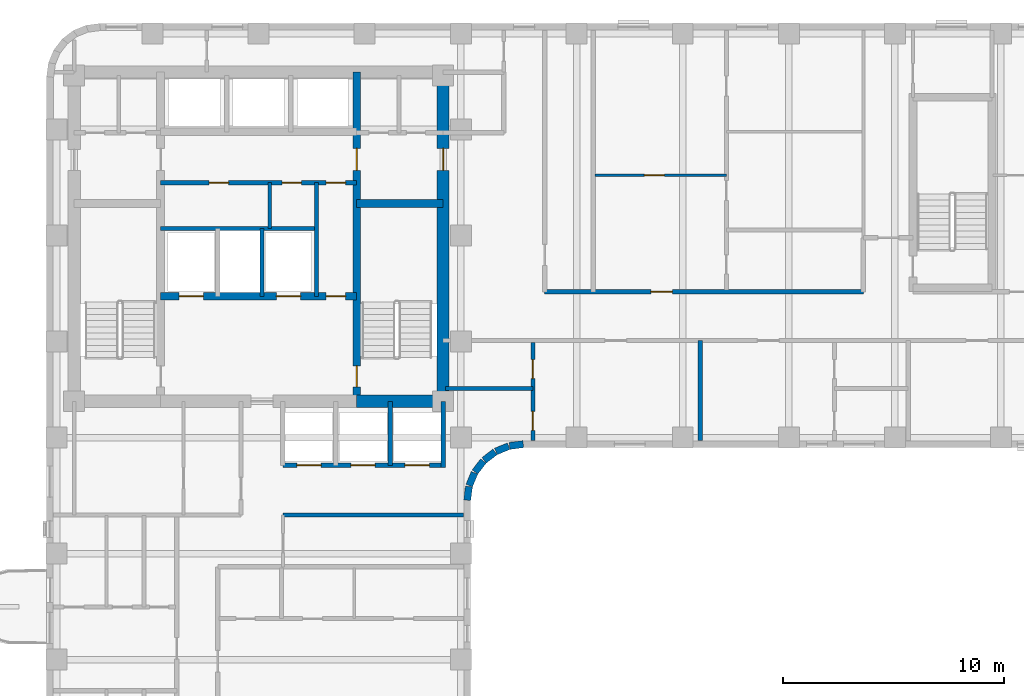
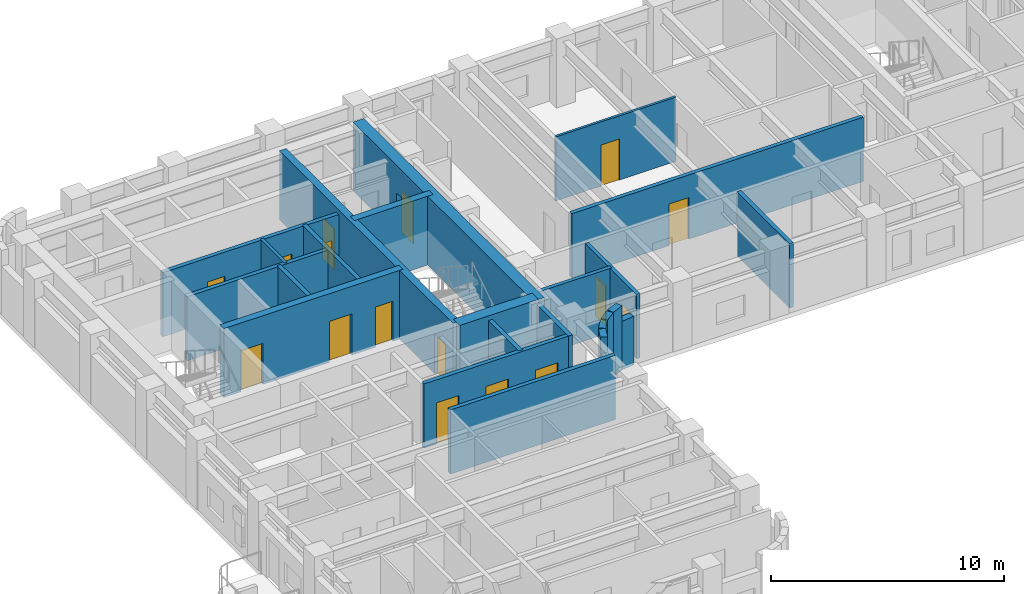
# One storey, part 6 of 11: 25 walls, 16 doors, 16 openings.
"""IFC4 building model written with IfcOpenShell, lengths in metres."""

from ifc_helpers import new_model, si_unit, direction, frame, frame_2d, origin, place, context, subcontext, project, spatial, rectangle, extrude, material, layer, layer_set, type_object, element, fill, save


model = new_model("IFC4")

# Units and contexts
model_context = context("Model", 3, precision=1e-05, world=origin(), true_north=direction((0.0, 1.0)))
body_context = subcontext(model_context, "Body", "Model", "MODEL_VIEW")
ifc_project = project(units=[si_unit("LENGTHUNIT", "METRE"), si_unit("AREAUNIT", "SQUARE_METRE"), si_unit("VOLUMEUNIT", "CUBIC_METRE"), si_unit("PLANEANGLEUNIT", "RADIAN"), si_unit("MASSUNIT", "GRAM", prefix="KILO")], contexts=[model_context])

# Site, building, storey
site_placement = place(None, origin())
site = spatial("IfcSite", under=ifc_project, at=site_placement, CompositionType="ELEMENT")
building_placement = place(site_placement, origin())
building = spatial("IfcBuilding", under=site, at=building_placement, Name="Orvandelia Arch Residences", CompositionType="ELEMENT")
storey_placement = place(building_placement, frame((0.0, 0.0, 125.199951171875)))
storey = spatial("IfcBuildingStorey", under=building, at=storey_placement, Name="L32", CompositionType="ELEMENT", Elevation=125.199951171875)

# Wall, openings, doors
ifc_material_1 = material(Name="Concrete C50/60", Category="concrete")
ifc_layer_1 = layer(ifc_material_1, 0.35009765625, Name="Concrete C50/60", Category="concrete")
ifc_layer_set_1 = layer_set([ifc_layer_1], Name="Concrete C50/60")
wall_type_1 = type_object("IfcWallType", Name="WL-CORE-350", PredefinedType="SHEAR", material=ifc_layer_set_1)
wall_1_placement = place(storey_placement, frame((18.840087890625, 30.89990234375, 0.0), z_axis=(0.0, 0.0, 1.0), x_axis=(0.0, 1.0, 0.0)))
wall_1 = element("IfcWall", 1, at=wall_1_placement, inside=storey, type_object=wall_type_1, Name="Core Shear Wall L32-WEB2", PredefinedType="SHEAR", context=body_context, shape_type="SweptSolid", body=[
    extrude(rectangle(XDim=14.900146484375, YDim=0.35009765625, at=frame_2d((7.4501953125, 0.0))), origin(), (0.0, 0.0, 1.0), 3.60009765625),
])
opening_1_placement = place(wall_1_placement, frame((0.64990234375, 0.0, 0.0)))
opening_1 = element("IfcOpeningElement", 2, at=opening_1_placement, cuts=wall_1, Name="Opening D7", PredefinedType="OPENING", context=body_context, shape_type="SweptSolid", body=[
    extrude(rectangle(XDim=0.949951171875, YDim=2.10009765625, at=frame_2d((0.47509765625, 1.050048828125))), frame((0.0, 0.18505859375, 0.0), z_axis=(0.0, -1.0, 0.0), x_axis=(1.0, 0.0, 0.0)), (0.0, 0.0, 1.0), 0.3701171875),
])
opening_2_placement = place(wall_1_placement, frame((10.449951171875, 0.0, 0.0)))
opening_2 = element("IfcOpeningElement", 3, at=opening_2_placement, cuts=wall_1, Name="Opening D6", PredefinedType="OPENING", context=body_context, shape_type="SweptSolid", body=[
    extrude(rectangle(XDim=1.0, YDim=2.14990234375, at=frame_2d((0.5, 1.074951171875))), frame((0.0, 0.18505859375, 0.0), z_axis=(0.0, -1.0, 0.0), x_axis=(1.0, 0.0, 0.0)), (0.0, 0.0, 1.0), 0.3701171875),
])
ifc_material_2 = material(Name="Smokeproof Painted Steel Fire Door", Category="steel")
door_type_1 = type_object("IfcDoorType", Name="DR-FD60-1000", OperationType="NOTDEFINED", PredefinedType="DOOR", material=ifc_material_2)
door_1_placement = place(opening_2_placement, origin())
door_1 = element("IfcDoor", 4, at=door_1_placement, inside=storey, type_object=door_type_1, Name="High-Rise Lift Hall East Vestibule Door L32", OperationType="SINGLE_SWING_RIGHT", OverallHeight=2.14990234375, OverallWidth=1.0, PredefinedType="DOOR", context=body_context, shape_type="SweptSolid", body=[
    extrude(rectangle(XDim=1.0, YDim=2.14990234375, at=frame_2d((0.5, 1.074951171875))), frame((0.0, 0.02490234375, 0.0), z_axis=(0.0, -1.0, 0.0), x_axis=(1.0, 0.0, 0.0)), (0.0, 0.0, 1.0), 0.050048828125),
])
fill(opening_2, door_1)
ifc_material_3 = material(Name="Pressurised Stairwell Fire Door")
door_type_2 = type_object("IfcDoorType", Name="DR-STAIR-950", OperationType="NOTDEFINED", PredefinedType="DOOR", material=ifc_material_3)
door_2_placement = place(opening_1_placement, origin())
door_2 = element("IfcDoor", 5, at=door_2_placement, inside=storey, type_object=door_type_2, Name="Stairwell ST-2 Fire Door L32", OperationType="SINGLE_SWING_RIGHT", OverallHeight=2.10009765625, OverallWidth=0.949951171875, PredefinedType="DOOR", context=body_context, shape_type="SweptSolid", body=[
    extrude(rectangle(XDim=0.949951171875, YDim=2.10009765625, at=frame_2d((0.47509765625, 1.050048828125))), frame((0.0, 0.02490234375, 0.0), z_axis=(0.0, -1.0, 0.0), x_axis=(1.0, 0.0, 0.0)), (0.0, 0.0, 1.0), 0.050048828125),
])
fill(opening_1, door_2)

# Wall
wall_2_placement = place(storey_placement, frame((18.840087890625, 39.85009765625, 0.0), z_axis=(0.0, 0.0, 1.0), x_axis=(1.0, 0.0, 0.0)))
element("IfcWall", 6, at=wall_2_placement, inside=storey, type_object=wall_type_1, Name="Core Shear Wall L32-HZ2", PredefinedType="SHEAR", context=body_context, shape_type="SweptSolid", body=[
    extrude(rectangle(XDim=3.909912109375, YDim=0.35009765625, at=frame_2d((1.955078125, 0.0))), origin(), (0.0, 0.0, 1.0), 3.60009765625),
])

# Wall, openings, doors
wall_3_placement = place(storey_placement, frame((9.9599609375, 35.64990234375, 0.0), z_axis=(0.0, 0.0, 1.0), x_axis=(1.0, 0.0, 0.0)))
wall_3 = element("IfcWall", 7, at=wall_3_placement, inside=storey, type_object=wall_type_1, Name="Core Shear Wall L32-HZ3", PredefinedType="SHEAR", context=body_context, shape_type="SweptSolid", body=[
    extrude(rectangle(XDim=8.880126953125, YDim=0.35009765625, at=frame_2d((4.43994140625, 0.0))), origin(), (0.0, 0.0, 1.0), 3.60009765625),
])
opening_3_placement = place(wall_3_placement, frame((0.840087890625, 0.0, 0.0)))
opening_3 = element("IfcOpeningElement", 8, at=opening_3_placement, cuts=wall_3, Name="Opening FLD", PredefinedType="OPENING", context=body_context, shape_type="SweptSolid", body=[
    extrude(rectangle(XDim=1.10009765625, YDim=2.14990234375, at=frame_2d((0.550048828125, 1.074951171875))), frame((0.0, 0.18505859375, 0.0), z_axis=(0.0, -1.0, 0.0), x_axis=(1.0, 0.0, 0.0)), (0.0, 0.0, 1.0), 0.3701171875),
])
opening_4_placement = place(wall_3_placement, frame((5.239990234375, 0.0, 0.0)))
opening_4 = element("IfcOpeningElement", 9, at=opening_4_placement, cuts=wall_3, Name="Opening FLD", PredefinedType="OPENING", context=body_context, shape_type="SweptSolid", body=[
    extrude(rectangle(XDim=1.10009765625, YDim=2.14990234375, at=frame_2d((0.550048828125, 1.074951171875))), frame((0.0, 0.18505859375, 0.0), z_axis=(0.0, -1.0, 0.0), x_axis=(1.0, 0.0, 0.0)), (0.0, 0.0, 1.0), 0.3701171875),
])
opening_5_placement = place(wall_3_placement, frame((7.5, 0.0, 0.0)))
opening_5 = element("IfcOpeningElement", 10, at=opening_5_placement, cuts=wall_3, Name="Opening D5", PredefinedType="OPENING", context=body_context, shape_type="SweptSolid", body=[
    extrude(rectangle(XDim=0.8798828125, YDim=2.10009765625, at=frame_2d((0.43994140625, 1.050048828125))), frame((0.0, 0.18505859375, 0.0), z_axis=(0.0, -1.0, 0.0), x_axis=(1.0, 0.0, 0.0)), (0.0, 0.0, 1.0), 0.3701171875),
])
ifc_material_4 = material(Name="Firefighting Lift Stainless Sliding Door")
door_type_3 = type_object("IfcDoorType", Name="DR-FLFT-1100", OperationType="NOTDEFINED", PredefinedType="DOOR", material=ifc_material_4)
door_3_placement = place(opening_3_placement, origin())
door_3 = element("IfcDoor", 11, at=door_3_placement, inside=storey, type_object=door_type_3, Name="Firefighting Lift Landing Door FLD-FL1-L32", OperationType="SLIDING_TO_LEFT", OverallHeight=2.14990234375, OverallWidth=1.10009765625, PredefinedType="DOOR", context=body_context, shape_type="SweptSolid", body=[
    extrude(rectangle(XDim=1.10009765625, YDim=2.14990234375, at=frame_2d((0.550048828125, 1.074951171875))), frame((0.0, 0.02490234375, 0.0), z_axis=(0.0, -1.0, 0.0), x_axis=(1.0, 0.0, 0.0)), (0.0, 0.0, 1.0), 0.050048828125),
])
fill(opening_3, door_3)
door_4_placement = place(opening_4_placement, origin())
door_4 = element("IfcDoor", 12, at=door_4_placement, inside=storey, type_object=door_type_3, Name="Firefighting Lift Landing Door FLD-FL2-L32", OperationType="SLIDING_TO_RIGHT", OverallHeight=2.14990234375, OverallWidth=1.10009765625, PredefinedType="DOOR", context=body_context, shape_type="SweptSolid", body=[
    extrude(rectangle(XDim=1.10009765625, YDim=2.14990234375, at=frame_2d((0.550048828125, 1.074951171875))), frame((0.0, 0.02490234375, 0.0), z_axis=(0.0, -1.0, 0.0), x_axis=(1.0, 0.0, 0.0)), (0.0, 0.0, 1.0), 0.050048828125),
])
fill(opening_4, door_4)
ifc_material_5 = material(Name="Painted Galvanised Steel Service Door", Category="steel")
door_type_4 = type_object("IfcDoorType", Name="DR-SRV-880", OperationType="NOTDEFINED", PredefinedType="DOOR", material=ifc_material_5)
door_5_placement = place(opening_5_placement, origin())
door_5 = element("IfcDoor", 13, at=door_5_placement, inside=storey, type_object=door_type_4, Name="Core Stairway Passage South Fire Door L32", OperationType="SINGLE_SWING_LEFT", OverallHeight=2.10009765625, OverallWidth=0.8798828125, PredefinedType="DOOR", context=body_context, shape_type="SweptSolid", body=[
    extrude(rectangle(XDim=0.8798828125, YDim=2.10009765625, at=frame_2d((0.43994140625, 1.050048828125))), frame((0.0, 0.02490234375, 0.0), z_axis=(0.0, -1.0, 0.0), x_axis=(1.0, 0.0, 0.0)), (0.0, 0.0, 1.0), 0.050048828125),
])
fill(opening_5, door_5)

# Wall, opening, door
ifc_material_6 = material(Name="Concrete C60/75", Category="concrete")
ifc_layer_2 = layer(ifc_material_6, 0.550048828125, Name="Concrete C60/75", Category="concrete")
ifc_layer_set_2 = layer_set([ifc_layer_2], Name="Concrete C60/75")
wall_type_2 = type_object("IfcWallType", Name="WL-CORE-550", PredefinedType="SHEAR", material=ifc_layer_set_2)
wall_4_placement = place(storey_placement, frame((22.75, 30.625, 0.0), z_axis=(0.0, 0.0, 1.0), x_axis=(0.0, 1.0, 0.0)))
wall_4 = element("IfcWall", 14, at=wall_4_placement, inside=storey, type_object=wall_type_2, Name="Core Shear Wall L32-E", PredefinedType="SHEAR", context=body_context, shape_type="SweptSolid", body=[
    extrude(rectangle(XDim=15.449951171875, YDim=0.550048828125, at=frame_2d((7.72509765625, 0.0))), origin(), (0.0, 0.0, 1.0), 3.60009765625),
])
opening_6_placement = place(wall_4_placement, frame((10.72509765625, 0.0, 0.0)))
opening_6 = element("IfcOpeningElement", 15, at=opening_6_placement, cuts=wall_4, Name="Opening D6", PredefinedType="OPENING", context=body_context, shape_type="SweptSolid", body=[
    extrude(rectangle(XDim=1.0, YDim=2.14990234375, at=frame_2d((0.5, 1.074951171875))), frame((0.0, 0.28515625, 0.0), z_axis=(0.0, -1.0, 0.0), x_axis=(1.0, 0.0, 0.0)), (0.0, 0.0, 1.0), 0.570068359375),
])
door_6_placement = place(opening_6_placement, origin())
door_6 = element("IfcDoor", 16, at=door_6_placement, inside=storey, type_object=door_type_1, Name="Core East Corridor Link Door L32", OperationType="SINGLE_SWING_LEFT", OverallHeight=2.14990234375, OverallWidth=1.0, PredefinedType="DOOR", context=body_context, shape_type="SweptSolid", body=[
    extrude(rectangle(XDim=1.0, YDim=2.14990234375, at=frame_2d((0.5, 1.074951171875))), frame((0.0, 0.02490234375, 0.0), z_axis=(0.0, -1.0, 0.0), x_axis=(1.0, 0.0, 0.0)), (0.0, 0.0, 1.0), 0.050048828125),
])
fill(opening_6, door_6)

# Walls
wall_5_placement = place(storey_placement, frame((18.840087890625, 30.89990234375, 0.0), z_axis=(0.0, 0.0, 1.0), x_axis=(1.0, 0.0, 0.0)))
element("IfcWall", 17, at=wall_5_placement, inside=storey, type_object=wall_type_2, Name="Core Shear Wall L32-SE", PredefinedType="SHEAR", context=body_context, shape_type="SweptSolid", body=[
    extrude(rectangle(XDim=3.909912109375, YDim=0.550048828125, at=frame_2d((1.955078125, 0.0))), origin(), (0.0, 0.0, 1.0), 3.60009765625),
])
ifc_material_7 = material(Name="Fire-Rated Corridor Partition")
ifc_layer_3 = layer(ifc_material_7, 0.199951171875, Name="Fire-Rated Corridor Partition")
ifc_layer_set_3 = layer_set([ifc_layer_3], Name="Fire-Rated Corridor Partition")
wall_type_3 = type_object("IfcWallType", Name="WL-CORR-200", PredefinedType="PARTITIONING", material=ifc_layer_set_3)
wall_6_placement = place(storey_placement, frame((15.5, 25.75, 0.0), z_axis=(0.0, 0.0, 1.0), x_axis=(1.0, 0.0, 0.0)))
element("IfcWall", 18, at=wall_6_placement, inside=storey, type_object=wall_type_3, Name="Interior Partition Wall WL-L32-WLNK-NE2", PredefinedType="PARTITIONING", context=body_context, shape_type="SweptSolid", body=[
    extrude(rectangle(XDim=8.179931640625, YDim=0.199951171875, at=frame_2d((4.08984375, 0.0))), origin(), (0.0, 0.0, 1.0), 3.360107421875),
])

# Wall, opening, door
wall_7_placement = place(storey_placement, frame((27.35009765625, 35.85009765625, 0.0), z_axis=(0.0, 0.0, 1.0), x_axis=(1.0, 0.0, 0.0)))
wall_7 = element("IfcWall", 19, at=wall_7_placement, inside=storey, type_object=wall_type_3, Name="Interior Partition Wall WL-L32-ES-N1", PredefinedType="PARTITIONING", context=body_context, shape_type="SweptSolid", body=[
    extrude(rectangle(XDim=14.429931640625, YDim=0.199951171875, at=frame_2d((7.21484375, 0.0))), origin(), (0.0, 0.0, 1.0), 3.360107421875),
])
opening_7_placement = place(wall_7_placement, frame((4.803466796875, 0.0, 0.0)))
opening_7 = element("IfcOpeningElement", 20, at=opening_7_placement, cuts=wall_7, Name="Opening D1", PredefinedType="OPENING", context=body_context, shape_type="SweptSolid", body=[
    extrude(rectangle(XDim=0.97998046875, YDim=2.179931640625, at=frame_2d((0.489990234375, 1.08984375))), frame((0.0, 0.10986328125, 0.0), z_axis=(0.0, -1.0, 0.0), x_axis=(1.0, 0.0, 0.0)), (0.0, 0.0, 1.0), 0.219970703125),
])
ifc_material_8 = material(Name="Solid-Core Timber Acoustic Fire Door", Category="wood")
door_type_5 = type_object("IfcDoorType", Name="DR-ENT-980", OperationType="NOTDEFINED", PredefinedType="DOOR", material=ifc_material_8)
door_7_placement = place(opening_7_placement, origin())
door_7 = element("IfcDoor", 21, at=door_7_placement, inside=storey, type_object=door_type_5, Name="Unit L32-08 Entrance Door", OperationType="SINGLE_SWING_RIGHT", OverallHeight=2.179931640625, OverallWidth=0.97998046875, PredefinedType="DOOR", context=body_context, shape_type="SweptSolid", body=[
    extrude(rectangle(XDim=0.97998046875, YDim=2.179931640625, at=frame_2d((0.489990234375, 1.08984375))), frame((0.0, 0.02490234375, 0.0), z_axis=(0.0, -1.0, 0.0), x_axis=(1.0, 0.0, 0.0)), (0.0, 0.0, 1.0), 0.050048828125),
])
fill(opening_7, door_7)

# Walls
ifc_material_9 = material(Name="Concrete C40/50", Category="concrete")
ifc_layer_4 = layer(ifc_material_9, 0.199951171875, Name="Concrete C40/50", Category="concrete")
ifc_layer_set_4 = layer_set([ifc_layer_4], Name="Concrete C40/50")
wall_type_4 = type_object("IfcWallType", Name="WL-DEM-200", PredefinedType="SOLIDWALL", material=ifc_layer_set_4)
wall_8_placement = place(storey_placement, frame((34.39990234375, 29.1201171875, 0.0), z_axis=(0.0, 0.0, 1.0), x_axis=(0.0, 1.0, 0.0)))
element("IfcWall", 22, at=wall_8_placement, inside=storey, type_object=wall_type_4, Name="Interior Partition Wall WL-L32-DEM-ESS-344", PredefinedType="SOLIDWALL", context=body_context, shape_type="SweptSolid", body=[
    extrude(rectangle(XDim=4.52978515625, YDim=0.199951171875, at=frame_2d((2.264892578125, 0.0))), origin(), (0.0, 0.0, 1.0), 3.360107421875),
])
ifc_material_10 = material(Name="Precast concrete C40/50", Category="concrete")
ifc_layer_5 = layer(ifc_material_10, 0.320068359375, Name="Precast concrete C40/50", Category="concrete")
ifc_layer_set_5 = layer_set([ifc_layer_5], Name="Precast concrete C40/50")
wall_type_5 = type_object("IfcWallType", Name="WL-EXT-STONE-320", PredefinedType="STANDARD", material=ifc_layer_set_5)
wall_9_placement = place(storey_placement, frame((26.379150390625, 28.95849609375, 0.0), z_axis=(0.0, 0.0, 1.0), x_axis=(-0.991447664465, -0.130504898859, 0.0)))
element("IfcWall", 23, at=wall_9_placement, inside=storey, type_object=wall_type_5, Name="Coral-Limestone Precast Facade Wall L32-022", PredefinedType="STANDARD", context=body_context, shape_type="SweptSolid", body=[
    extrude(rectangle(XDim=0.626708984375, YDim=0.320068359375, at=frame_2d((0.3134765625, 0.0))), origin(), (0.0, 0.0, 1.0), 2.5400390625),
])
wall_10_placement = place(storey_placement, frame((25.717529296875, 28.865966796875, 0.0), z_axis=(0.0, 0.0, 1.0), x_axis=(-0.923836271867, -0.382787856107, 0.0)))
element("IfcWall", 24, at=wall_10_placement, inside=storey, type_object=wall_type_5, Name="Coral-Limestone Precast Facade Wall L32-023", PredefinedType="STANDARD", context=body_context, shape_type="SweptSolid", body=[
    extrude(rectangle(XDim=0.626220703125, YDim=0.320068359375, at=frame_2d((0.31298828125, 0.0))), origin(), (0.0, 0.0, 1.0), 3.360107421875),
])
for number, where, z_axis, x_axis, name in (
    (25, (25.1025390625, 28.60546875, 0.0), (0.0, 0.0, 1.0), (-0.793405610854, -0.608693302629, 0.0), "Coral-Limestone Precast Facade Wall L32-024"),
    (26, (24.575927734375, 28.194580078125, 0.0), (0.0, 0.0, 1.0), (-0.608693302629, -0.793405610854, 0.0), "Coral-Limestone Precast Facade Wall L32-025"),
):
    element("IfcWall", number, at=place(storey_placement, frame(where, z_axis=z_axis, x_axis=x_axis)), inside=storey, type_object=wall_type_5, Name=name, PredefinedType="STANDARD", context=body_context, shape_type="SweptSolid", body=[
        extrude(rectangle(XDim=0.62646484375, YDim=0.320068359375, at=frame_2d((0.313232421875, 0.0))), origin(), (0.0, 0.0, 1.0), 3.360107421875),
    ])
wall_11_placement = place(storey_placement, frame((24.173583984375, 27.6611328125, 0.0), z_axis=(0.0, 0.0, 1.0), x_axis=(-0.382455093999, -0.923974080304, 0.0)))
element("IfcWall", 27, at=wall_11_placement, inside=storey, type_object=wall_type_5, Name="Coral-Limestone Precast Facade Wall L32-026", PredefinedType="STANDARD", context=body_context, shape_type="SweptSolid", body=[
    extrude(rectangle(XDim=0.626220703125, YDim=0.320068359375, at=frame_2d((0.31298828125, 0.0))), origin(), (0.0, 0.0, 1.0), 3.360107421875),
])
wall_12_placement = place(storey_placement, frame((23.923095703125, 27.0419921875, 0.0), z_axis=(0.0, 0.0, 1.0), x_axis=(-0.130555323746, -0.9914410257, 0.0)))
element("IfcWall", 28, at=wall_12_placement, inside=storey, type_object=wall_type_5, Name="Coral-Limestone Precast Facade Wall L32-027", PredefinedType="STANDARD", context=body_context, shape_type="SweptSolid", body=[
    extrude(rectangle(XDim=0.62646484375, YDim=0.320068359375, at=frame_2d((0.313232421875, 0.0))), origin(), (0.0, 0.0, 1.0), 2.5400390625),
])

# Wall, opening, door
ifc_material_11 = material(Name="Lightweight Gypsum Stud Partition")
ifc_layer_6 = layer(ifc_material_11, 0.1201171875, Name="Lightweight Gypsum Stud Partition")
ifc_layer_set_6 = layer_set([ifc_layer_6], Name="Lightweight Gypsum Stud Partition")
wall_type_6 = type_object("IfcWallType", Name="WL-PART-120", PredefinedType="PARTITIONING", material=ifc_layer_set_6)
wall_13_placement = place(storey_placement, frame((29.6298828125, 41.1259765625, 0.0), z_axis=(0.0, 0.0, 1.0), x_axis=(1.0, 0.0, 0.0)))
wall_13 = element("IfcWall", 29, at=wall_13_placement, inside=storey, type_object=wall_type_6, Name="Interior Partition Wall WL-L32-U08-DIN", PredefinedType="PARTITIONING", context=body_context, shape_type="SweptSolid", body=[
    extrude(rectangle(XDim=5.947021484375, YDim=0.1201171875, at=frame_2d((2.9736328125, 0.0))), origin(), (0.0, 0.0, 1.0), 3.360107421875),
])
opening_8_placement = place(wall_13_placement, frame((2.235107421875, 0.0, 0.0)))
opening_8 = element("IfcOpeningElement", 30, at=opening_8_placement, cuts=wall_13, Name="Opening D3", PredefinedType="OPENING", context=body_context, shape_type="SweptSolid", body=[
    extrude(rectangle(XDim=0.89990234375, YDim=2.14990234375, at=frame_2d((0.449951171875, 1.074951171875))), frame((0.0, 0.070068359375, 0.0), z_axis=(0.0, -1.0, 0.0), x_axis=(1.0, 0.0, 0.0)), (0.0, 0.0, 1.0), 0.14013671875),
])
ifc_material_12 = material(Name="Engineered Timber Flush Door", Category="wood")
door_type_6 = type_object("IfcDoorType", Name="DR-INT-900", OperationType="NOTDEFINED", PredefinedType="DOOR", material=ifc_material_12)
door_8_placement = place(opening_8_placement, origin())
door_8 = element("IfcDoor", 31, at=door_8_placement, inside=storey, type_object=door_type_6, Name="DR-L32-U08-DIN", OperationType="SINGLE_SWING_LEFT", OverallHeight=2.14990234375, OverallWidth=0.89990234375, PredefinedType="DOOR", context=body_context, shape_type="SweptSolid", body=[
    extrude(rectangle(XDim=0.89990234375, YDim=2.14990234375, at=frame_2d((0.449951171875, 1.074951171875))), frame((0.0, 0.02490234375, 0.0), z_axis=(0.0, -1.0, 0.0), x_axis=(1.0, 0.0, 0.0)), (0.0, 0.0, 1.0), 0.050048828125),
])
fill(opening_8, door_8)

# Walls
ifc_material_13 = material(Name="Acoustic Gypsum Stud Partition")
ifc_layer_7 = layer(ifc_material_13, 0.14990234375, Name="Acoustic Gypsum Stud Partition")
ifc_layer_set_7 = layer_set([ifc_layer_7], Name="Acoustic Gypsum Stud Partition")
wall_type_7 = type_object("IfcWallType", Name="WL-PART-150", PredefinedType="PARTITIONING", material=ifc_layer_set_7)
wall_14_placement = place(storey_placement, frame((14.89990234375, 38.719970703125, 0.0), z_axis=(0.0, 0.0, 1.0), x_axis=(0.0, 1.0, 0.0)))
element("IfcWall", 32, at=wall_14_placement, inside=storey, type_object=wall_type_7, Name="Interior Partition Wall WL-L32-CSA-1", PredefinedType="PARTITIONING", context=body_context, shape_type="SweptSolid", body=[
    extrude(rectangle(XDim=2.080078125, YDim=0.14990234375, at=frame_2d((1.0400390625, 0.0))), origin(), (0.0, 0.0, 1.0), 3.360107421875),
])
ifc_material_14 = material(Name="Fire-Rated Shaft Enclosure Wall")
ifc_layer_8 = layer(ifc_material_14, 0.199951171875, Name="Fire-Rated Shaft Enclosure Wall")
ifc_layer_set_8 = layer_set([ifc_layer_8], Name="Fire-Rated Shaft Enclosure Wall")
wall_type_8 = type_object("IfcWallType", Name="WL-SHAFT-200", PredefinedType="POLYGONAL", material=ifc_layer_set_8)
wall_15_placement = place(storey_placement, frame((9.9599609375, 38.719970703125, 0.0), z_axis=(0.0, 0.0, 1.0), x_axis=(1.0, 0.0, 0.0)))
element("IfcWall", 33, at=wall_15_placement, inside=storey, type_object=wall_type_8, Name="Interior Partition Wall WL-L32-FLN", PredefinedType="POLYGONAL", context=body_context, shape_type="SweptSolid", body=[
    extrude(rectangle(XDim=7.06005859375, YDim=0.199951171875, at=frame_2d((3.530029296875, 0.0))), origin(), (0.0, 0.0, 1.0), 3.360107421875),
])
wall_16_placement = place(storey_placement, frame((14.550048828125, 35.64990234375, 0.0), z_axis=(0.0, 0.0, 1.0), x_axis=(0.0, 1.0, 0.0)))
element("IfcWall", 34, at=wall_16_placement, inside=storey, type_object=wall_type_8, Name="Interior Partition Wall WL-L32-FLM2", PredefinedType="POLYGONAL", context=body_context, shape_type="SweptSolid", body=[
    extrude(rectangle(XDim=3.070068359375, YDim=0.199951171875, at=frame_2d((1.53515625, 0.0))), origin(), (0.0, 0.0, 1.0), 3.360107421875),
])
wall_17_placement = place(storey_placement, frame((17.02001953125, 35.64990234375, 0.0), z_axis=(0.0, 0.0, 1.0), x_axis=(0.0, 1.0, 0.0)))
element("IfcWall", 35, at=wall_17_placement, inside=storey, type_object=wall_type_8, Name="Interior Partition Wall WL-L32-FLM3", PredefinedType="POLYGONAL", context=body_context, shape_type="SweptSolid", body=[
    extrude(rectangle(XDim=5.150146484375, YDim=0.199951171875, at=frame_2d((2.5751953125, 0.0))), origin(), (0.0, 0.0, 1.0), 3.360107421875),
])

# Wall, openings, doors
wall_18_placement = place(storey_placement, frame((9.9599609375, 40.800048828125, 0.0), z_axis=(0.0, 0.0, 1.0), x_axis=(1.0, 0.0, 0.0)))
wall_18 = element("IfcWall", 36, at=wall_18_placement, inside=storey, type_object=wall_type_8, Name="Interior Partition Wall WL-L32-HLH-S", PredefinedType="POLYGONAL", context=body_context, shape_type="SweptSolid", body=[
    extrude(rectangle(XDim=8.880126953125, YDim=0.199951171875, at=frame_2d((4.43994140625, 0.0))), origin(), (0.0, 0.0, 1.0), 3.360107421875),
])
opening_9_placement = place(wall_18_placement, frame((7.5, 0.0, 0.0)))
opening_9 = element("IfcOpeningElement", 37, at=opening_9_placement, cuts=wall_18, Name="Opening D5", PredefinedType="OPENING", context=body_context, shape_type="SweptSolid", body=[
    extrude(rectangle(XDim=0.8798828125, YDim=2.10009765625, at=frame_2d((0.43994140625, 1.050048828125))), frame((0.0, 0.10986328125, 0.0), z_axis=(0.0, -1.0, 0.0), x_axis=(1.0, 0.0, 0.0)), (0.0, 0.0, 1.0), 0.219970703125),
])
opening_10_placement = place(wall_18_placement, frame((2.199951171875, 0.0, 0.0)))
opening_10 = element("IfcOpeningElement", 38, at=opening_10_placement, cuts=wall_18, Name="Opening D5", PredefinedType="OPENING", context=body_context, shape_type="SweptSolid", body=[
    extrude(rectangle(XDim=0.8798828125, YDim=2.10009765625, at=frame_2d((0.43994140625, 1.050048828125))), frame((0.0, 0.10986328125, 0.0), z_axis=(0.0, -1.0, 0.0), x_axis=(1.0, 0.0, 0.0)), (0.0, 0.0, 1.0), 0.219970703125),
])
opening_11_placement = place(wall_18_placement, frame((5.5, 0.0, 0.0)))
opening_11 = element("IfcOpeningElement", 39, at=opening_11_placement, cuts=wall_18, Name="Opening D5", PredefinedType="OPENING", context=body_context, shape_type="SweptSolid", body=[
    extrude(rectangle(XDim=0.8798828125, YDim=2.10009765625, at=frame_2d((0.43994140625, 1.050048828125))), frame((0.0, 0.10986328125, 0.0), z_axis=(0.0, -1.0, 0.0), x_axis=(1.0, 0.0, 0.0)), (0.0, 0.0, 1.0), 0.219970703125),
])
door_9_placement = place(opening_9_placement, origin())
door_9 = element("IfcDoor", 40, at=door_9_placement, inside=storey, type_object=door_type_4, Name="Core Stairway Passage North Fire Door L32", OperationType="SINGLE_SWING_RIGHT", OverallHeight=2.10009765625, OverallWidth=0.8798828125, PredefinedType="DOOR", context=body_context, shape_type="SweptSolid", body=[
    extrude(rectangle(XDim=0.8798828125, YDim=2.10009765625, at=frame_2d((0.43994140625, 1.050048828125))), frame((0.0, 0.02490234375, 0.0), z_axis=(0.0, -1.0, 0.0), x_axis=(1.0, 0.0, 0.0)), (0.0, 0.0, 1.0), 0.050048828125),
])
fill(opening_9, door_9)
door_10_placement = place(opening_10_placement, origin())
door_10 = element("IfcDoor", 41, at=door_10_placement, inside=storey, type_object=door_type_4, Name="DR-L32-CSA1", OperationType="SINGLE_SWING_RIGHT", OverallHeight=2.10009765625, OverallWidth=0.8798828125, PredefinedType="DOOR", context=body_context, shape_type="SweptSolid", body=[
    extrude(rectangle(XDim=0.8798828125, YDim=2.10009765625, at=frame_2d((0.43994140625, 1.050048828125))), frame((0.0, 0.02490234375, 0.0), z_axis=(0.0, -1.0, 0.0), x_axis=(1.0, 0.0, 0.0)), (0.0, 0.0, 1.0), 0.050048828125),
])
fill(opening_10, door_10)
door_11_placement = place(opening_11_placement, origin())
door_11 = element("IfcDoor", 42, at=door_11_placement, inside=storey, type_object=door_type_4, Name="DR-L32-CSA2", OperationType="SINGLE_SWING_LEFT", OverallHeight=2.10009765625, OverallWidth=0.8798828125, PredefinedType="DOOR", context=body_context, shape_type="SweptSolid", body=[
    extrude(rectangle(XDim=0.8798828125, YDim=2.10009765625, at=frame_2d((0.43994140625, 1.050048828125))), frame((0.0, 0.02490234375, 0.0), z_axis=(0.0, -1.0, 0.0), x_axis=(1.0, 0.0, 0.0)), (0.0, 0.0, 1.0), 0.050048828125),
])
fill(opening_11, door_11)

wall_19_placement = place(storey_placement, frame((15.5, 28.0, 0.0), z_axis=(0.0, 0.0, 1.0), x_axis=(1.0, 0.0, 0.0)))
wall_19 = element("IfcWall", 43, at=wall_19_placement, inside=storey, type_object=wall_type_8, Name="Interior Partition Wall WL-L32-BNKM-S", PredefinedType="POLYGONAL", context=body_context, shape_type="SweptSolid", body=[
    extrude(rectangle(XDim=7.25, YDim=0.199951171875, at=frame_2d((3.625, 0.0))), origin(), (0.0, 0.0, 1.0), 3.360107421875),
])
opening_12_placement = place(wall_19_placement, frame((0.625, 0.0, 0.0)))
opening_12 = element("IfcOpeningElement", 44, at=opening_12_placement, cuts=wall_19, Name="Opening LD", PredefinedType="OPENING", context=body_context, shape_type="SweptSolid", body=[
    extrude(rectangle(XDim=1.10009765625, YDim=2.14990234375, at=frame_2d((0.550048828125, 1.074951171875))), frame((0.0, 0.10986328125, 0.0), z_axis=(0.0, -1.0, 0.0), x_axis=(1.0, 0.0, 0.0)), (0.0, 0.0, 1.0), 0.219970703125),
])
opening_13_placement = place(wall_19_placement, frame((3.074951171875, 0.0, 0.0)))
opening_13 = element("IfcOpeningElement", 45, at=opening_13_placement, cuts=wall_19, Name="Opening LD", PredefinedType="OPENING", context=body_context, shape_type="SweptSolid", body=[
    extrude(rectangle(XDim=1.10009765625, YDim=2.14990234375, at=frame_2d((0.550048828125, 1.074951171875))), frame((0.0, 0.10986328125, 0.0), z_axis=(0.0, -1.0, 0.0), x_axis=(1.0, 0.0, 0.0)), (0.0, 0.0, 1.0), 0.219970703125),
])
opening_14_placement = place(wall_19_placement, frame((5.52490234375, 0.0, 0.0)))
opening_14 = element("IfcOpeningElement", 46, at=opening_14_placement, cuts=wall_19, Name="Opening LD", PredefinedType="OPENING", context=body_context, shape_type="SweptSolid", body=[
    extrude(rectangle(XDim=1.10009765625, YDim=2.14990234375, at=frame_2d((0.550048828125, 1.074951171875))), frame((0.0, 0.10986328125, 0.0), z_axis=(0.0, -1.0, 0.0), x_axis=(1.0, 0.0, 0.0)), (0.0, 0.0, 1.0), 0.219970703125),
])
ifc_material_15 = material(Name="Brushed Stainless Steel Sliding Lift Door", Category="steel")
door_type_7 = type_object("IfcDoorType", Name="DR-LIFT-1100", OperationType="NOTDEFINED", PredefinedType="DOOR", material=ifc_material_15)
door_12_placement = place(opening_12_placement, origin())
door_12 = element("IfcDoor", 47, at=door_12_placement, inside=storey, type_object=door_type_7, Name="Lift Landing Door LD-PM1", OperationType="SLIDING_TO_LEFT", OverallHeight=2.14990234375, OverallWidth=1.10009765625, PredefinedType="DOOR", context=body_context, shape_type="SweptSolid", body=[
    extrude(rectangle(XDim=1.10009765625, YDim=2.14990234375, at=frame_2d((0.550048828125, 1.074951171875))), frame((0.0, 0.02490234375, 0.0), z_axis=(0.0, -1.0, 0.0), x_axis=(1.0, 0.0, 0.0)), (0.0, 0.0, 1.0), 0.050048828125),
])
fill(opening_12, door_12)
door_13_placement = place(opening_13_placement, origin())
door_13 = element("IfcDoor", 48, at=door_13_placement, inside=storey, type_object=door_type_7, Name="Lift Landing Door LD-PM2", OperationType="SLIDING_TO_RIGHT", OverallHeight=2.14990234375, OverallWidth=1.10009765625, PredefinedType="DOOR", context=body_context, shape_type="SweptSolid", body=[
    extrude(rectangle(XDim=1.10009765625, YDim=2.14990234375, at=frame_2d((0.550048828125, 1.074951171875))), frame((0.0, 0.02490234375, 0.0), z_axis=(0.0, -1.0, 0.0), x_axis=(1.0, 0.0, 0.0)), (0.0, 0.0, 1.0), 0.050048828125),
])
fill(opening_13, door_13)
door_14_placement = place(opening_14_placement, origin())
door_14 = element("IfcDoor", 49, at=door_14_placement, inside=storey, type_object=door_type_7, Name="Lift Landing Door LD-PM3", OperationType="SLIDING_TO_LEFT", OverallHeight=2.14990234375, OverallWidth=1.10009765625, PredefinedType="DOOR", context=body_context, shape_type="SweptSolid", body=[
    extrude(rectangle(XDim=1.10009765625, YDim=2.14990234375, at=frame_2d((0.550048828125, 1.074951171875))), frame((0.0, 0.02490234375, 0.0), z_axis=(0.0, -1.0, 0.0), x_axis=(1.0, 0.0, 0.0)), (0.0, 0.0, 1.0), 0.050048828125),
])
fill(opening_14, door_14)

# Walls
wall_20_placement = place(storey_placement, frame((22.75, 27.89990234375, 0.0), z_axis=(0.0, 0.0, 1.0), x_axis=(0.0, 1.0, 0.0)))
element("IfcWall", 50, at=wall_20_placement, inside=storey, type_object=wall_type_8, Name="Interior Partition Wall WL-L32-BNKM-E", PredefinedType="POLYGONAL", context=body_context, shape_type="SweptSolid", body=[
    extrude(rectangle(XDim=3.0, YDim=0.199951171875, at=frame_2d((1.5, 0.0))), origin(), (0.0, 0.0, 1.0), 3.360107421875),
])
wall_21_placement = place(storey_placement, frame((20.35009765625, 28.0, 0.0), z_axis=(0.0, 0.0, 1.0), x_axis=(0.0, 1.0, 0.0)))
element("IfcWall", 51, at=wall_21_placement, inside=storey, type_object=wall_type_8, Name="Interior Partition Wall WL-L32-BNKMD-2035", PredefinedType="POLYGONAL", context=body_context, shape_type="SweptSolid", body=[
    extrude(rectangle(XDim=2.89990234375, YDim=0.199951171875, at=frame_2d((1.449951171875, 0.0))), origin(), (0.0, 0.0, 1.0), 3.360107421875),
])

# Wall, openings, doors
ifc_material_16 = material(Name="Moisture-Resistant Plumbing Wall")
ifc_layer_9 = layer(ifc_material_16, 0.179931640625, Name="Moisture-Resistant Plumbing Wall")
ifc_layer_set_9 = layer_set([ifc_layer_9], Name="Moisture-Resistant Plumbing Wall")
wall_type_9 = type_object("IfcWallType", Name="WL-WET-180", PredefinedType="PLUMBINGWALL", material=ifc_layer_set_9)
wall_22_placement = place(storey_placement, frame((26.81396484375, 29.1201171875, 0.0), z_axis=(0.0, 0.0, 1.0), x_axis=(0.0, 1.0, 0.0)))
wall_22 = element("IfcWall", 52, at=wall_22_placement, inside=storey, type_object=wall_type_9, Name="Interior Partition Wall WL-L32-U05-VT", PredefinedType="PLUMBINGWALL", context=body_context, shape_type="SweptSolid", body=[
    extrude(rectangle(XDim=4.429931640625, YDim=0.179931640625, at=frame_2d((2.21484375, 0.0))), origin(), (0.0, 0.0, 1.0), 3.360107421875),
])
opening_15_placement = place(wall_22_placement, frame((0.458740234375, 0.0, 0.0)))
opening_15 = element("IfcOpeningElement", 53, at=opening_15_placement, cuts=wall_22, Name="Opening D4", PredefinedType="OPENING", context=body_context, shape_type="SweptSolid", body=[
    extrude(rectangle(XDim=0.860107421875, YDim=2.10009765625, at=frame_2d((0.43017578125, 1.050048828125))), frame((0.0, 0.10009765625, 0.0), z_axis=(0.0, -1.0, 0.0), x_axis=(1.0, 0.0, 0.0)), (0.0, 0.0, 1.0), 0.199951171875),
])
opening_16_placement = place(wall_22_placement, frame((2.79931640625, 0.0, 0.0)))
opening_16 = element("IfcOpeningElement", 54, at=opening_16_placement, cuts=wall_22, Name="Opening D4", PredefinedType="OPENING", context=body_context, shape_type="SweptSolid", body=[
    extrude(rectangle(XDim=0.860107421875, YDim=2.10009765625, at=frame_2d((0.43017578125, 1.050048828125))), frame((0.0, 0.10009765625, 0.0), z_axis=(0.0, -1.0, 0.0), x_axis=(1.0, 0.0, 0.0)), (0.0, 0.0, 1.0), 0.199951171875),
])
ifc_material_17 = material(Name="Moisture-Sealed Timber Bathroom Door", Category="wood")
door_type_8 = type_object("IfcDoorType", Name="DR-WET-900", OperationType="NOTDEFINED", PredefinedType="DOOR", material=ifc_material_17)
door_15_placement = place(opening_15_placement, origin())
door_15 = element("IfcDoor", 55, at=door_15_placement, inside=storey, type_object=door_type_8, Name="DR-L32-U05-KIT", OperationType="SINGLE_SWING_LEFT", OverallHeight=2.10009765625, OverallWidth=0.860107421875, PredefinedType="DOOR", context=body_context, shape_type="SweptSolid", body=[
    extrude(rectangle(XDim=0.860107421875, YDim=2.10009765625, at=frame_2d((0.43017578125, 1.050048828125))), frame((0.0, 0.02490234375, 0.0), z_axis=(0.0, -1.0, 0.0), x_axis=(1.0, 0.0, 0.0)), (0.0, 0.0, 1.0), 0.050048828125),
])
fill(opening_15, door_15)
door_16_placement = place(opening_16_placement, origin())
door_16 = element("IfcDoor", 56, at=door_16_placement, inside=storey, type_object=door_type_8, Name="DR-L32-U05-BTH", OperationType="SINGLE_SWING_RIGHT", OverallHeight=2.10009765625, OverallWidth=0.860107421875, PredefinedType="DOOR", context=body_context, shape_type="SweptSolid", body=[
    extrude(rectangle(XDim=0.860107421875, YDim=2.10009765625, at=frame_2d((0.43017578125, 1.050048828125))), frame((0.0, 0.02490234375, 0.0), z_axis=(0.0, -1.0, 0.0), x_axis=(1.0, 0.0, 0.0)), (0.0, 0.0, 1.0), 0.050048828125),
])
fill(opening_16, door_16)

# Wall
wall_23_placement = place(storey_placement, frame((22.85009765625, 31.485107421875, 0.0), z_axis=(0.0, 0.0, 1.0), x_axis=(1.0, 0.0, 0.0)))
element("IfcWall", 57, at=wall_23_placement, inside=storey, type_object=wall_type_9, Name="Interior Partition Wall WL-L32-U05-H1", PredefinedType="PLUMBINGWALL", context=body_context, shape_type="SweptSolid", body=[
    extrude(rectangle(XDim=3.9638671875, YDim=0.179931640625, at=frame_2d((1.98193359375, 0.0))), origin(), (0.0, 0.0, 1.0), 3.360107421875),
])

save(model, "model.ifc")
